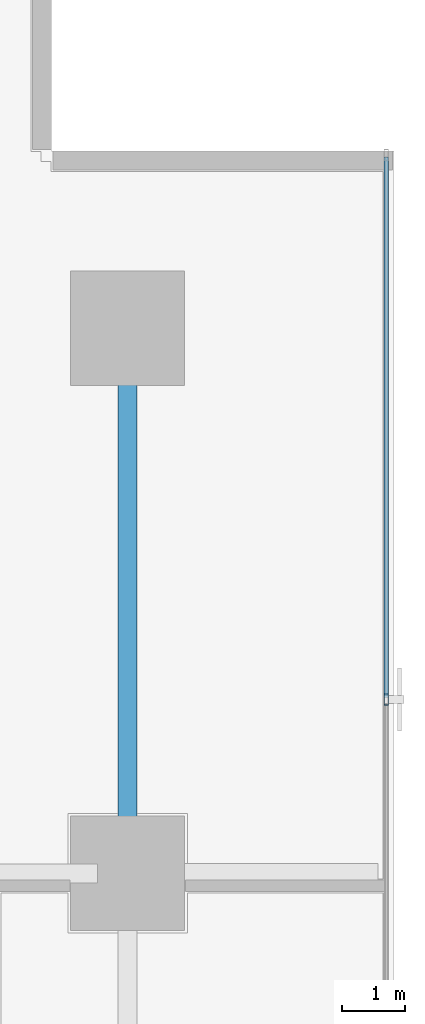
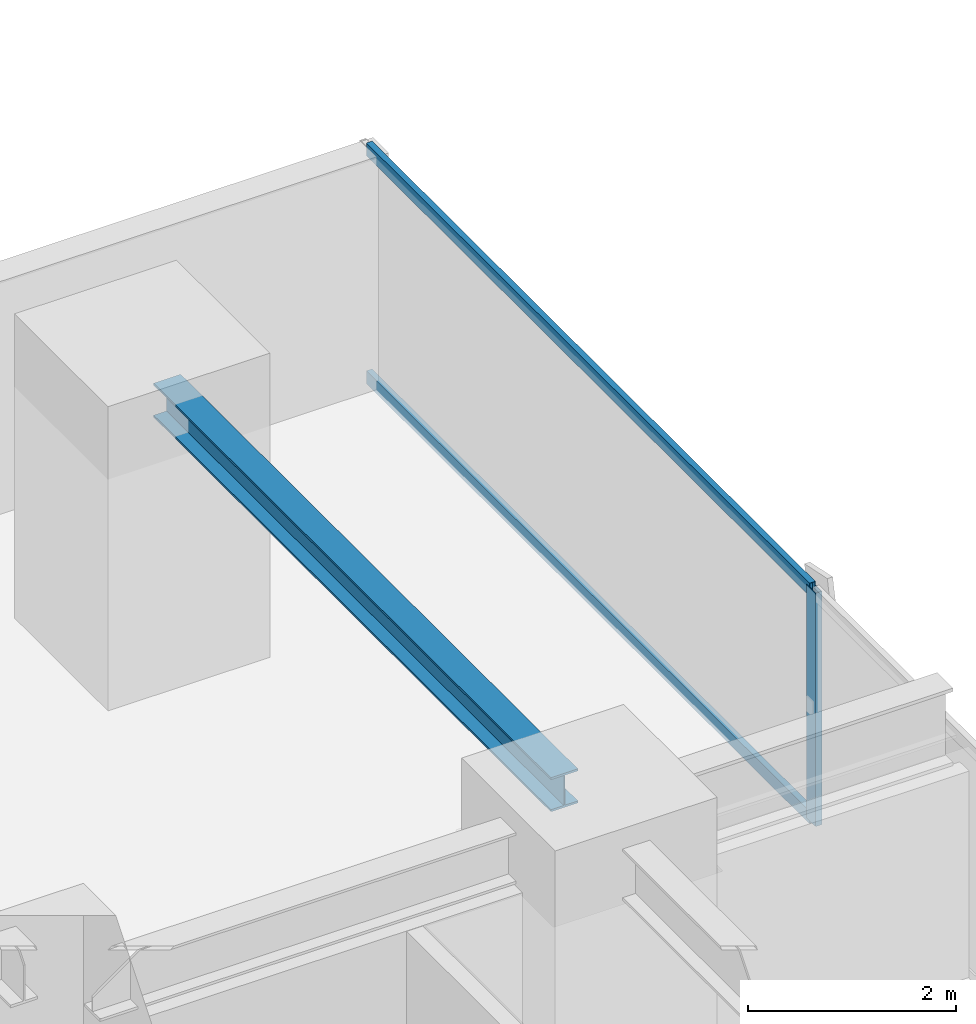
# One storey, part 21 of 33: 3 members, 1 beam, 1 element without a shape of its own.
"""IFC4 building model written with IfcOpenShell, lengths in metres."""

from ifc_helpers import new_model, si_unit, direction, frame, origin, origin_2d, place, context, subcontext, project, spatial, hollow_rectangle, i_section, extrude, source, transform, mapped, material, layer, layer_set, material_profile, profile_set, type_object, element, aggregate, save


model = new_model("IFC4")

# Units and contexts
model_context = context("Model", 3, precision=1e-05, world=origin(), true_north=direction((0.0, 1.0)))
body_context = subcontext(model_context, "Body", "Model", "MODEL_VIEW")
ifc_project = project(units=[si_unit("LENGTHUNIT", "METRE"), si_unit("AREAUNIT", "SQUARE_METRE"), si_unit("VOLUMEUNIT", "CUBIC_METRE"), si_unit("PLANEANGLEUNIT", "RADIAN"), si_unit("MASSUNIT", "GRAM", prefix="KILO")], contexts=[model_context])

# Site, building, storey
site_placement = place(None, origin())
site = spatial("IfcSite", under=ifc_project, at=site_placement, CompositionType="ELEMENT")
building_placement = place(site_placement, origin())
building = spatial("IfcBuilding", under=site, at=building_placement, Name="Sumidabori Civic Tower", CompositionType="ELEMENT")
storey_placement = place(building_placement, frame((0.0, 0.0, 63.199951171875)))
storey = spatial("IfcBuildingStorey", under=building, at=storey_placement, Name="L16", CompositionType="ELEMENT", Elevation=63.199951171875)

# Beam
ifc_material_1 = material(Name="Steel SN490", Category="steel")
ifc_material_profile_1 = material_profile(ifc_material_1, i_section(OverallWidth=0.300048828125, OverallDepth=0.39990234375, WebThickness=0.013427734375, FlangeThickness=0.02392578125, at=origin_2d()), Name="HE 400 B")
ifc_profile_set_1 = profile_set([ifc_material_profile_1], Name="Steel SN490")
beam_type = type_object("IfcBeamType", Name="BM-GIRD-400", PredefinedType="BEAM", material=ifc_profile_set_1)
shared_shape_1 = source(origin(), body_context, "Body", "SweptSolid", [
    extrude(i_section(OverallWidth=0.300048828125, OverallDepth=0.39990234375, WebThickness=0.013427734375, FlangeThickness=0.02392578125, at=origin_2d()), origin(), (0.0, 0.0, 1.0), 7.64013671875),
])
beam_placement = place(storey_placement, frame((22.800048828125, 10.679931640625, 3.16015625), z_axis=(0.0, 1.0, 0.0), x_axis=(-1.0, 0.0, 0.0)))
element("IfcBeam", 1, at=beam_placement, inside=storey, type_object=beam_type, Name="Primary Girder L16 GY-42", PredefinedType="BEAM", context=body_context, shape_type="MappedRepresentation", body=[
    mapped(shared_shape_1, transform((0.0, 0.0, 0.0), x_axis=(1.0, 0.0, 0.0), y_axis=(0.0, 1.0, 0.0), z_axis=(0.0, 0.0, 1.0), scale=1.0)),
])

# Curtain wall, members
ifc_material_2 = material(Name="Anodised Bronze Aluminium AW-6063-T6", Category="aluminium")
ifc_layer = layer(ifc_material_2, 0.179931640625, Name="Anodised Bronze Aluminium AW-6063-T6")
ifc_layer_set = layer_set([ifc_layer], Name="Anodised Bronze Aluminium AW-6063-T6")
curtain_wall_type = type_object("IfcCurtainWallType", Name="CW-SYS-2", PredefinedType="NOTDEFINED", material=ifc_layer_set)
curtain_wall_placement = place(storey_placement, origin())
curtain_wall = element("IfcCurtainWall", 2, at=curtain_wall_placement, inside=storey, type_object=curtain_wall_type, Name="Curtain Wall CW:L16:R04", PredefinedType="NOTDEFINED")
ifc_material_profile_2 = material_profile(ifc_material_2, hollow_rectangle(XDim=0.070068359375, YDim=0.179931640625, WallThickness=0.006103515625, at=origin_2d()), Name="ALU MULLION 180x70")
ifc_profile_set_2 = profile_set([ifc_material_profile_2], Name="Anodised Bronze Aluminium AW-6063-T6")
member_type_1 = type_object("IfcMemberType", Name="CW-MUL-180", PredefinedType="MULLION", material=ifc_profile_set_2)
shared_shape_2 = source(origin(), body_context, "Body", "SweptSolid", [
    extrude(hollow_rectangle(XDim=0.070068359375, YDim=0.179931640625, WallThickness=0.006103515625, at=origin_2d()), origin(), (0.0, 0.0, 1.0), 2.739990234375),
])
member_1_placement = place(storey_placement, frame((26.8798828125, 12.94189453125, 0.0), z_axis=(0.0, 0.0, 1.0), x_axis=(-1.0, 0.0, 0.0)))
member_1 = element("IfcMember", 3, at=member_1_placement, type_object=member_type_1, Name="CW-2 mullion 5", PredefinedType="MULLION", context=body_context, shape_type="MappedRepresentation", body=[
    mapped(shared_shape_2, transform((0.0, 0.0, 0.0), x_axis=(1.0, 0.0, 0.0), y_axis=(0.0, 1.0, 0.0), z_axis=(0.0, 0.0, 1.0), scale=1.0)),
])
ifc_material_profile_3 = material_profile(ifc_material_2, hollow_rectangle(XDim=0.06494140625, YDim=0.14990234375, WallThickness=0.0048828125, at=origin_2d()), Name="ALU TRANSOM 150x65")
ifc_profile_set_3 = profile_set([ifc_material_profile_3], Name="Anodised Bronze Aluminium AW-6063-T6")
member_type_2 = type_object("IfcMemberType", Name="CW-TRN-150", PredefinedType="USERDEFINED", material=ifc_profile_set_3)
shared_shape_3 = source(origin(), body_context, "Body", "SweptSolid", [
    extrude(hollow_rectangle(XDim=0.06494140625, YDim=0.14990234375, WallThickness=0.0048828125, at=origin_2d()), origin(), (0.0, 0.0, 1.0), 8.52294921875),
])
member_2_placement = place(storey_placement, frame((26.8798828125, 12.97705078125, 0.032470703125), z_axis=(0.0, 1.0, 0.0), x_axis=(-1.0, 0.0, 0.0)))
member_2 = element("IfcMember", 4, at=member_2_placement, type_object=member_type_2, Name="CW-2 transom 5.1", ObjectType="TRANSOM", PredefinedType="USERDEFINED", context=body_context, shape_type="MappedRepresentation", body=[
    mapped(shared_shape_3, transform((0.0, 0.0, 0.0), x_axis=(1.0, 0.0, 0.0), y_axis=(0.0, 1.0, 0.0), z_axis=(0.0, 0.0, 1.0), scale=1.0)),
])
member_3_placement = place(storey_placement, frame((26.8798828125, 12.97705078125, 2.70751953125), z_axis=(0.0, 1.0, 0.0), x_axis=(-1.0, 0.0, 0.0)))
member_3 = element("IfcMember", 5, at=member_3_placement, type_object=member_type_2, Name="CW-2 transom 5.2", ObjectType="TRANSOM", PredefinedType="USERDEFINED", context=body_context, shape_type="MappedRepresentation", body=[
    mapped(shared_shape_3, transform((0.0, 0.0, 0.0), x_axis=(1.0, 0.0, 0.0), y_axis=(0.0, 1.0, 0.0), z_axis=(0.0, 0.0, 1.0), scale=1.0)),
])
aggregate(curtain_wall, [member_1, member_2, member_3])

save(model, "model.ifc")
